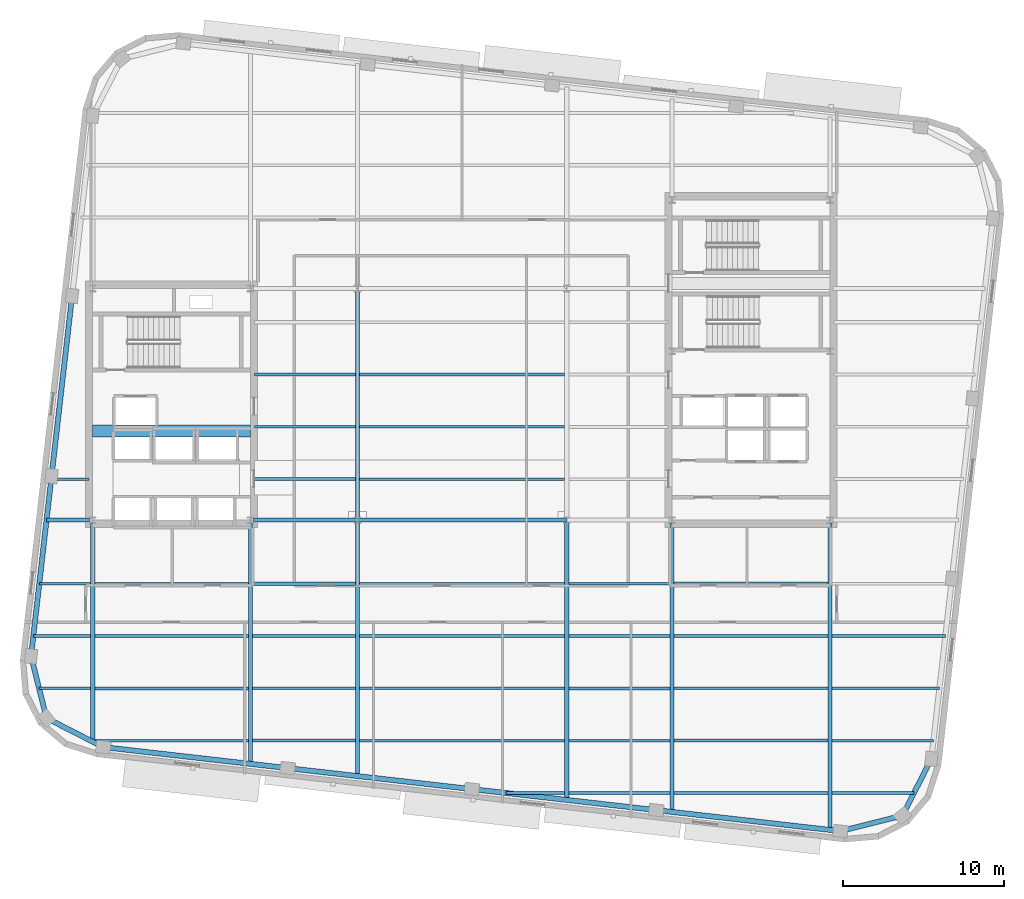
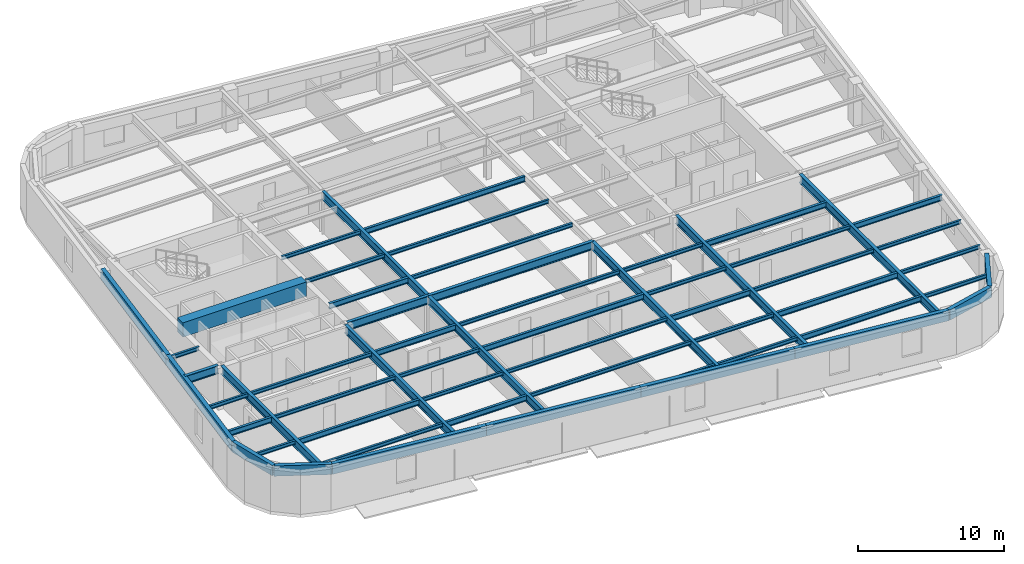
# One storey, part 3 of 12: 58 beams.
"""IFC4 building model written with IfcOpenShell, lengths in metres."""

from ifc_helpers import new_model, si_unit, direction, frame, origin, origin_2d, place, context, subcontext, project, spatial, rectangle, hollow_rectangle, i_section, extrude, material, material_profile, profile_set, type_object, element, save


model = new_model("IFC4")

# Units and contexts
model_context = context("Model", 3, precision=1e-05, world=origin(), true_north=direction((0.0, 1.0)))
body_context = subcontext(model_context, "Body", "Model", "MODEL_VIEW")
ifc_project = project(units=[si_unit("LENGTHUNIT", "METRE"), si_unit("AREAUNIT", "SQUARE_METRE"), si_unit("VOLUMEUNIT", "CUBIC_METRE"), si_unit("PLANEANGLEUNIT", "RADIAN"), si_unit("MASSUNIT", "GRAM", prefix="KILO")], contexts=[model_context])

# Site, building, storey
site_placement = place(None, origin())
site = spatial("IfcSite", under=ifc_project, at=site_placement, CompositionType="ELEMENT")
building_placement = place(site_placement, origin())
building = spatial("IfcBuilding", under=site, at=building_placement, Name="Kolvaren Arena Tower", CompositionType="ELEMENT")
storey_placement = place(building_placement, frame((0.0, 0.0, 220.949951171875)))
storey = spatial("IfcBuildingStorey", under=building, at=storey_placement, Name="L53", CompositionType="ELEMENT", Elevation=220.949951171875)

# Beams
ifc_material_1 = material(Name="Steel CSA G40.21 350W", Category="steel")
ifc_material_profile_1 = material_profile(ifc_material_1, i_section(OverallWidth=0.193115234375, OverallDepth=0.462890625, WebThickness=0.0107421875, FlangeThickness=0.0205078125, FilletRadius=0.012939453125, at=origin_2d()), Name="W460x113")
ifc_profile_set_1 = profile_set([ifc_material_profile_1], Name="Steel CSA G40.21 350W")
beam_type_1 = type_object("IfcBeamType", Name="BEAM-F2", PredefinedType="BEAM", material=ifc_profile_set_1)
beam_1_placement = place(storey_placement, frame((50.677490234375, 2.5, 3.24853515625), z_axis=(1.0, 0.0, 0.0), x_axis=(0.0, 1.0, 0.0)))
element("IfcBeam", 1, at=beam_1_placement, inside=storey, type_object=beam_type_1, Name="Composite Floor Beam (L53)", PredefinedType="BEAM", context=body_context, shape_type="SweptSolid", body=[
    extrude(i_section(OverallWidth=0.193115234375, OverallDepth=0.462890625, WebThickness=0.0107421875, FlangeThickness=0.0205078125, FilletRadius=0.012939453125, at=origin_2d()), origin(), (0.0, 0.0, 1.0), 9.544921875),
])
beam_2_placement = place(storey_placement, frame((24.4775390625, 5.75, 3.24853515625), z_axis=(1.0, 0.0, 0.0), x_axis=(0.0, 1.0, 0.0)))
element("IfcBeam", 2, at=beam_2_placement, inside=storey, type_object=beam_type_1, Name="Composite Floor Beam (L53)", PredefinedType="BEAM", context=body_context, shape_type="SweptSolid", body=[
    extrude(i_section(OverallWidth=0.193115234375, OverallDepth=0.462890625, WebThickness=0.0107421875, FlangeThickness=0.0205078125, FilletRadius=0.012939453125, at=origin_2d()), origin(), (0.0, 0.0, 1.0), 6.39501953125),
])
for number, where, z_axis, x_axis, name in (
    (3, (50.677490234375, 5.75, 3.24853515625), (1.0, 0.0, 0.0), (0.0, 1.0, 0.0), "Composite Floor Beam (L53)"),
    (4, (14.677490234375, 9.0, 3.24853515625), (1.0, 0.0, 0.0), (0.0, 1.0, 0.0), "Composite Floor Beam (L53)"),
):
    element("IfcBeam", number, at=place(storey_placement, frame(where, z_axis=z_axis, x_axis=x_axis)), inside=storey, type_object=beam_type_1, Name=name, PredefinedType="BEAM", context=body_context, shape_type="SweptSolid", body=[
        extrude(i_section(OverallWidth=0.193115234375, OverallDepth=0.462890625, WebThickness=0.0107421875, FlangeThickness=0.0205078125, FilletRadius=0.012939453125, at=origin_2d()), origin(), (0.0, 0.0, 1.0), 9.544921875),
    ])
beam_3_placement = place(storey_placement, frame((44.12744140625, 9.0, 3.24853515625), z_axis=(1.0, 0.0, 0.0), x_axis=(0.0, 1.0, 0.0)))
element("IfcBeam", 5, at=beam_3_placement, inside=storey, type_object=beam_type_1, Name="Composite Floor Beam (L53)", PredefinedType="BEAM", context=body_context, shape_type="SweptSolid", body=[
    extrude(i_section(OverallWidth=0.193115234375, OverallDepth=0.462890625, WebThickness=0.0107421875, FlangeThickness=0.0205078125, FilletRadius=0.012939453125, at=origin_2d()), origin(), (0.0, 0.0, 1.0), 6.295166015625),
])
beam_4_placement = place(storey_placement, frame((10.86083984375, 12.25, 3.24853515625), z_axis=(1.0, 0.0, 0.0), x_axis=(0.0, 1.0, 0.0)))
element("IfcBeam", 6, at=beam_4_placement, inside=storey, type_object=beam_type_1, Name="Composite Floor Beam (L53)", PredefinedType="BEAM", context=body_context, shape_type="SweptSolid", body=[
    extrude(i_section(OverallWidth=0.193115234375, OverallDepth=0.462890625, WebThickness=0.0107421875, FlangeThickness=0.0205078125, FilletRadius=0.012939453125, at=origin_2d()), origin(), (0.0, 0.0, 1.0), 3.561767578125),
])
beam_5_placement = place(storey_placement, frame((31.12744140625, 12.25, 3.24853515625), z_axis=(1.0, 0.0, 0.0), x_axis=(0.0, 1.0, 0.0)))
element("IfcBeam", 7, at=beam_5_placement, inside=storey, type_object=beam_type_1, Name="Composite Floor Beam (L53)", PredefinedType="BEAM", context=body_context, shape_type="SweptSolid", body=[
    extrude(i_section(OverallWidth=0.193115234375, OverallDepth=0.462890625, WebThickness=0.0107421875, FlangeThickness=0.0205078125, FilletRadius=0.012939453125, at=origin_2d()), origin(), (0.0, 0.0, 1.0), 12.7451171875),
])
beam_6_placement = place(storey_placement, frame((60.4775390625, 12.25, 3.24853515625), z_axis=(1.0, 0.0, 0.0), x_axis=(0.0, 1.0, 0.0)))
element("IfcBeam", 8, at=beam_6_placement, inside=storey, type_object=beam_type_1, Name="Composite Floor Beam (L53)", PredefinedType="BEAM", context=body_context, shape_type="SweptSolid", body=[
    extrude(i_section(OverallWidth=0.193115234375, OverallDepth=0.462890625, WebThickness=0.0107421875, FlangeThickness=0.0205078125, FilletRadius=0.012939453125, at=origin_2d()), origin(), (0.0, 0.0, 1.0), 7.04736328125),
])
beam_7_placement = place(storey_placement, frame((24.4775390625, 15.5, 3.24853515625), z_axis=(1.0, 0.0, 0.0), x_axis=(0.0, 1.0, 0.0)))
element("IfcBeam", 9, at=beam_7_placement, inside=storey, type_object=beam_type_1, Name="Composite Floor Beam (L53)", PredefinedType="BEAM", context=body_context, shape_type="SweptSolid", body=[
    extrude(i_section(OverallWidth=0.193115234375, OverallDepth=0.462890625, WebThickness=0.0107421875, FlangeThickness=0.0205078125, FilletRadius=0.012939453125, at=origin_2d()), origin(), (0.0, 0.0, 1.0), 6.39501953125),
])
beam_8_placement = place(storey_placement, frame((50.677490234375, 15.5, 3.24853515625), z_axis=(1.0, 0.0, 0.0), x_axis=(0.0, 1.0, 0.0)))
element("IfcBeam", 10, at=beam_8_placement, inside=storey, type_object=beam_type_1, Name="Composite Floor Beam (L53)", PredefinedType="BEAM", context=body_context, shape_type="SweptSolid", body=[
    extrude(i_section(OverallWidth=0.193115234375, OverallDepth=0.462890625, WebThickness=0.0107421875, FlangeThickness=0.0205078125, FilletRadius=0.012939453125, at=origin_2d()), origin(), (0.0, 0.0, 1.0), 9.544921875),
])
beam_9_placement = place(storey_placement, frame((24.594970703125, 22.0, 3.24853515625), z_axis=(1.0, 0.0, 0.0), x_axis=(0.0, 1.0, 0.0)))
element("IfcBeam", 11, at=beam_9_placement, inside=storey, type_object=beam_type_1, Name="Composite Floor Beam (L53)", PredefinedType="BEAM", context=body_context, shape_type="SweptSolid", body=[
    extrude(i_section(OverallWidth=0.193115234375, OverallDepth=0.462890625, WebThickness=0.0107421875, FlangeThickness=0.0205078125, FilletRadius=0.012939453125, at=origin_2d()), origin(), (0.0, 0.0, 1.0), 6.277587890625),
])
beam_10_placement = place(storey_placement, frame((31.12744140625, 28.5, 3.24853515625), z_axis=(1.0, 0.0, 0.0), x_axis=(0.0, 1.0, 0.0)))
element("IfcBeam", 12, at=beam_10_placement, inside=storey, type_object=beam_type_1, Name="Composite Floor Beam (L53)", PredefinedType="BEAM", context=body_context, shape_type="SweptSolid", body=[
    extrude(i_section(OverallWidth=0.193115234375, OverallDepth=0.462890625, WebThickness=0.0107421875, FlangeThickness=0.0205078125, FilletRadius=0.012939453125, at=origin_2d()), origin(), (0.0, 0.0, 1.0), 12.7451171875),
])
ifc_material_2 = material(Name="Concrete 60 MPa", Category="concrete")
ifc_material_profile_2 = material_profile(ifc_material_2, rectangle(XDim=0.75, YDim=1.199951171875, at=origin_2d()), Name="RC-750x1200")
ifc_profile_set_2 = profile_set([ifc_material_profile_2], Name="Concrete 60 MPa")
beam_type_2 = type_object("IfcBeamType", Name="CB-CORE-2", PredefinedType="BEAM", material=ifc_profile_set_2)
beam_11_placement = place(storey_placement, frame((14.550048828125, 25.0, 3.150146484375), z_axis=(1.0, 0.0, 0.0), x_axis=(0.0, 1.0, 0.0)))
element("IfcBeam", 13, at=beam_11_placement, inside=storey, type_object=beam_type_2, Name="West Core Coupling Beam (L53)", PredefinedType="BEAM", context=body_context, shape_type="SweptSolid", body=[
    extrude(rectangle(XDim=0.75, YDim=1.199951171875, at=origin_2d()), origin(), (0.0, 0.0, 1.0), 9.800048828125),
])
ifc_material_profile_3 = material_profile(ifc_material_1, i_section(OverallWidth=0.2548828125, OverallDepth=0.695068359375, WebThickness=0.01708984375, FlangeThickness=0.02978515625, FilletRadius=0.01611328125, at=origin_2d()), Name="W690x217")
ifc_profile_set_3 = profile_set([ifc_material_profile_3], Name="Steel CSA G40.21 350W")
beam_type_3 = type_object("IfcBeamType", Name="GIRD-T2", PredefinedType="BEAM", material=ifc_profile_set_3)
beam_12_placement = place(storey_placement, frame((11.68115234375, 19.449951171875, 3.132568359375), z_axis=(1.0, 0.0, 0.0), x_axis=(0.0, 1.0, 0.0)))
element("IfcBeam", 14, at=beam_12_placement, inside=storey, type_object=beam_type_3, Name="Primary Floor Girder (L53)", PredefinedType="BEAM", context=body_context, shape_type="SweptSolid", body=[
    extrude(i_section(OverallWidth=0.2548828125, OverallDepth=0.695068359375, WebThickness=0.01708984375, FlangeThickness=0.02978515625, FilletRadius=0.01611328125, at=origin_2d()), origin(), (0.0, 0.0, 1.0), 2.663818359375),
])
beam_13_placement = place(storey_placement, frame((24.554931640625, 19.449951171875, 3.132568359375), z_axis=(1.0, 0.0, 0.0), x_axis=(0.0, 1.0, 0.0)))
element("IfcBeam", 15, at=beam_13_placement, inside=storey, type_object=beam_type_3, Name="Primary Floor Girder (L53)", PredefinedType="BEAM", context=body_context, shape_type="SweptSolid", body=[
    extrude(i_section(OverallWidth=0.2548828125, OverallDepth=0.695068359375, WebThickness=0.01708984375, FlangeThickness=0.02978515625, FilletRadius=0.01611328125, at=origin_2d()), origin(), (0.0, 0.0, 1.0), 6.445068359375),
])
beam_14_placement = place(storey_placement, frame((31.0, 19.449951171875, 3.132568359375), z_axis=(1.0, 0.0, 0.0), x_axis=(0.0, 1.0, 0.0)))
element("IfcBeam", 16, at=beam_14_placement, inside=storey, type_object=beam_type_3, Name="Primary Floor Girder (L53)", PredefinedType="BEAM", context=body_context, shape_type="SweptSolid", body=[
    extrude(i_section(OverallWidth=0.2548828125, OverallDepth=0.695068359375, WebThickness=0.01708984375, FlangeThickness=0.02978515625, FilletRadius=0.01611328125, at=origin_2d()), origin(), (0.0, 0.0, 1.0), 13.0),
])
beam_15_placement = place(storey_placement, frame((14.550048828125, 5.686767578125, 3.132568359375), z_axis=(0.0, 1.0, 0.0), x_axis=(-1.0, 0.0, 0.0)))
element("IfcBeam", 17, at=beam_15_placement, inside=storey, type_object=beam_type_3, Name="Primary Floor Girder (L53)", PredefinedType="BEAM", context=body_context, shape_type="SweptSolid", body=[
    extrude(i_section(OverallWidth=0.2548828125, OverallDepth=0.695068359375, WebThickness=0.01708984375, FlangeThickness=0.02978515625, FilletRadius=0.01611328125, at=origin_2d()), origin(), (0.0, 0.0, 1.0), 13.558349609375),
])
beam_16_placement = place(storey_placement, frame((24.35009765625, 4.30908203125, 3.132568359375), z_axis=(0.0, 1.0, 0.0), x_axis=(-1.0, 0.0, 0.0)))
element("IfcBeam", 18, at=beam_16_placement, inside=storey, type_object=beam_type_3, Name="Primary Floor Girder (L53)", PredefinedType="BEAM", context=body_context, shape_type="SweptSolid", body=[
    extrude(i_section(OverallWidth=0.2548828125, OverallDepth=0.695068359375, WebThickness=0.01708984375, FlangeThickness=0.02978515625, FilletRadius=0.01611328125, at=origin_2d()), origin(), (0.0, 0.0, 1.0), 14.93603515625),
])
beam_17_placement = place(storey_placement, frame((31.0, 3.551513671875, 3.132568359375), z_axis=(0.0, 1.0, 0.0), x_axis=(-1.0, 0.0, 0.0)))
element("IfcBeam", 19, at=beam_17_placement, inside=storey, type_object=beam_type_3, Name="Primary Floor Girder (L53)", PredefinedType="BEAM", context=body_context, shape_type="SweptSolid", body=[
    extrude(i_section(OverallWidth=0.2548828125, OverallDepth=0.695068359375, WebThickness=0.01708984375, FlangeThickness=0.02978515625, FilletRadius=0.01611328125, at=origin_2d()), origin(), (0.0, 0.0, 1.0), 15.8984375),
])
beam_18_placement = place(storey_placement, frame((31.0, 19.449951171875, 3.132568359375), z_axis=(0.0, 1.0, 0.0), x_axis=(-1.0, 0.0, 0.0)))
element("IfcBeam", 20, at=beam_18_placement, inside=storey, type_object=beam_type_3, Name="Primary Floor Girder (L53)", PredefinedType="BEAM", context=body_context, shape_type="SweptSolid", body=[
    extrude(i_section(OverallWidth=0.2548828125, OverallDepth=0.695068359375, WebThickness=0.01708984375, FlangeThickness=0.02978515625, FilletRadius=0.01611328125, at=origin_2d()), origin(), (0.0, 0.0, 1.0), 14.400146484375),
])
beam_19_placement = place(storey_placement, frame((44.0, 2.0703125, 3.132568359375), z_axis=(0.0, 1.0, 0.0), x_axis=(-1.0, 0.0, 0.0)))
element("IfcBeam", 21, at=beam_19_placement, inside=storey, type_object=beam_type_3, Name="Primary Floor Girder (L53)", PredefinedType="BEAM", context=body_context, shape_type="SweptSolid", body=[
    extrude(i_section(OverallWidth=0.2548828125, OverallDepth=0.695068359375, WebThickness=0.01708984375, FlangeThickness=0.02978515625, FilletRadius=0.01611328125, at=origin_2d()), origin(), (0.0, 0.0, 1.0), 17.379638671875),
])
beam_20_placement = place(storey_placement, frame((50.550048828125, 1.323974609375, 3.132568359375), z_axis=(0.0, 1.0, 0.0), x_axis=(-1.0, 0.0, 0.0)))
element("IfcBeam", 22, at=beam_20_placement, inside=storey, type_object=beam_type_3, Name="Primary Floor Girder (L53)", PredefinedType="BEAM", context=body_context, shape_type="SweptSolid", body=[
    extrude(i_section(OverallWidth=0.2548828125, OverallDepth=0.695068359375, WebThickness=0.01708984375, FlangeThickness=0.02978515625, FilletRadius=0.01611328125, at=origin_2d()), origin(), (0.0, 0.0, 1.0), 17.921142578125),
])
beam_21_placement = place(storey_placement, frame((60.35009765625, 0.20751953125, 3.132568359375), z_axis=(0.0, 1.0, 0.0), x_axis=(-1.0, 0.0, 0.0)))
element("IfcBeam", 23, at=beam_21_placement, inside=storey, type_object=beam_type_3, Name="Primary Floor Girder (L53)", PredefinedType="BEAM", context=body_context, shape_type="SweptSolid", body=[
    extrude(i_section(OverallWidth=0.2548828125, OverallDepth=0.695068359375, WebThickness=0.01708984375, FlangeThickness=0.02978515625, FilletRadius=0.01611328125, at=origin_2d()), origin(), (0.0, 0.0, 1.0), 19.03759765625),
])
ifc_material_profile_4 = material_profile(ifc_material_1, i_section(OverallWidth=0.1669921875, OverallDepth=0.31689453125, WebThickness=0.007568359375, FlangeThickness=0.01318359375, FilletRadius=0.010009765625, at=origin_2d()), Name="W310x52")
ifc_profile_set_4 = profile_set([ifc_material_profile_4], Name="Steel CSA G40.21 350W")
beam_type_4 = type_object("IfcBeamType", Name="JOIST-02", PredefinedType="JOIST", material=ifc_profile_set_4)
beam_22_placement = place(storey_placement, frame((40.228271484375, 2.5, 3.321533203125), z_axis=(1.0, 0.0, 0.0), x_axis=(0.0, 1.0, 0.0)))
element("IfcBeam", 24, at=beam_22_placement, inside=storey, type_object=beam_type_4, Name="Composite Floor Joist (L53)", PredefinedType="JOIST", context=body_context, shape_type="SweptSolid", body=[
    extrude(i_section(OverallWidth=0.1669921875, OverallDepth=0.31689453125, WebThickness=0.007568359375, FlangeThickness=0.01318359375, FilletRadius=0.010009765625, at=origin_2d()), origin(), (0.0, 0.0, 1.0), 3.644287109375),
])
beam_23_placement = place(storey_placement, frame((44.12744140625, 2.5, 3.321533203125), z_axis=(1.0, 0.0, 0.0), x_axis=(0.0, 1.0, 0.0)))
element("IfcBeam", 25, at=beam_23_placement, inside=storey, type_object=beam_type_4, Name="Composite Floor Joist (L53)", PredefinedType="JOIST", context=body_context, shape_type="SweptSolid", body=[
    extrude(i_section(OverallWidth=0.1669921875, OverallDepth=0.31689453125, WebThickness=0.007568359375, FlangeThickness=0.01318359375, FilletRadius=0.010009765625, at=origin_2d()), origin(), (0.0, 0.0, 1.0), 6.295166015625),
])
beam_24_placement = place(storey_placement, frame((60.4775390625, 2.5, 3.321533203125), z_axis=(1.0, 0.0, 0.0), x_axis=(0.0, 1.0, 0.0)))
element("IfcBeam", 26, at=beam_24_placement, inside=storey, type_object=beam_type_4, Name="Composite Floor Joist (L53)", PredefinedType="JOIST", context=body_context, shape_type="SweptSolid", body=[
    extrude(i_section(OverallWidth=0.1669921875, OverallDepth=0.31689453125, WebThickness=0.007568359375, FlangeThickness=0.01318359375, FilletRadius=0.010009765625, at=origin_2d()), origin(), (0.0, 0.0, 1.0), 5.09423828125),
])
beam_25_placement = place(storey_placement, frame((14.42626953125, 5.75, 3.321533203125), z_axis=(1.0, 0.0, 0.0), x_axis=(0.0, 1.0, 0.0)))
element("IfcBeam", 27, at=beam_25_placement, inside=storey, type_object=beam_type_4, Name="Composite Floor Joist (L53)", PredefinedType="JOIST", context=body_context, shape_type="SweptSolid", body=[
    extrude(i_section(OverallWidth=0.1669921875, OverallDepth=0.31689453125, WebThickness=0.007568359375, FlangeThickness=0.01318359375, FilletRadius=0.010009765625, at=origin_2d()), origin(), (0.0, 0.0, 1.0), 9.796142578125),
])
beam_26_placement = place(storey_placement, frame((31.12744140625, 5.75, 3.321533203125), z_axis=(1.0, 0.0, 0.0), x_axis=(0.0, 1.0, 0.0)))
element("IfcBeam", 28, at=beam_26_placement, inside=storey, type_object=beam_type_4, Name="Composite Floor Joist (L53)", PredefinedType="JOIST", context=body_context, shape_type="SweptSolid", body=[
    extrude(i_section(OverallWidth=0.1669921875, OverallDepth=0.31689453125, WebThickness=0.007568359375, FlangeThickness=0.01318359375, FilletRadius=0.010009765625, at=origin_2d()), origin(), (0.0, 0.0, 1.0), 12.7451171875),
])
beam_27_placement = place(storey_placement, frame((44.12744140625, 5.75, 3.321533203125), z_axis=(1.0, 0.0, 0.0), x_axis=(0.0, 1.0, 0.0)))
element("IfcBeam", 29, at=beam_27_placement, inside=storey, type_object=beam_type_4, Name="Composite Floor Joist (L53)", PredefinedType="JOIST", context=body_context, shape_type="SweptSolid", body=[
    extrude(i_section(OverallWidth=0.1669921875, OverallDepth=0.31689453125, WebThickness=0.007568359375, FlangeThickness=0.01318359375, FilletRadius=0.010009765625, at=origin_2d()), origin(), (0.0, 0.0, 1.0), 6.295166015625),
])
beam_28_placement = place(storey_placement, frame((60.4775390625, 5.75, 3.321533203125), z_axis=(1.0, 0.0, 0.0), x_axis=(0.0, 1.0, 0.0)))
element("IfcBeam", 30, at=beam_28_placement, inside=storey, type_object=beam_type_4, Name="Composite Floor Joist (L53)", PredefinedType="JOIST", context=body_context, shape_type="SweptSolid", body=[
    extrude(i_section(OverallWidth=0.1669921875, OverallDepth=0.31689453125, WebThickness=0.007568359375, FlangeThickness=0.01318359375, FilletRadius=0.010009765625, at=origin_2d()), origin(), (0.0, 0.0, 1.0), 6.306884765625),
])
beam_29_placement = place(storey_placement, frame((11.217529296875, 9.0, 3.321533203125), z_axis=(1.0, 0.0, 0.0), x_axis=(0.0, 1.0, 0.0)))
element("IfcBeam", 31, at=beam_29_placement, inside=storey, type_object=beam_type_4, Name="Composite Floor Joist (L53)", PredefinedType="JOIST", context=body_context, shape_type="SweptSolid", body=[
    extrude(i_section(OverallWidth=0.1669921875, OverallDepth=0.31689453125, WebThickness=0.007568359375, FlangeThickness=0.01318359375, FilletRadius=0.010009765625, at=origin_2d()), origin(), (0.0, 0.0, 1.0), 3.205078125),
])
beam_30_placement = place(storey_placement, frame((24.4775390625, 9.0, 3.321533203125), z_axis=(1.0, 0.0, 0.0), x_axis=(0.0, 1.0, 0.0)))
element("IfcBeam", 32, at=beam_30_placement, inside=storey, type_object=beam_type_4, Name="Composite Floor Joist (L53)", PredefinedType="JOIST", context=body_context, shape_type="SweptSolid", body=[
    extrude(i_section(OverallWidth=0.1669921875, OverallDepth=0.31689453125, WebThickness=0.007568359375, FlangeThickness=0.01318359375, FilletRadius=0.010009765625, at=origin_2d()), origin(), (0.0, 0.0, 1.0), 6.39501953125),
])
beam_31_placement = place(storey_placement, frame((31.12744140625, 9.0, 3.321533203125), z_axis=(1.0, 0.0, 0.0), x_axis=(0.0, 1.0, 0.0)))
element("IfcBeam", 33, at=beam_31_placement, inside=storey, type_object=beam_type_4, Name="Composite Floor Joist (L53)", PredefinedType="JOIST", context=body_context, shape_type="SweptSolid", body=[
    extrude(i_section(OverallWidth=0.1669921875, OverallDepth=0.31689453125, WebThickness=0.007568359375, FlangeThickness=0.01318359375, FilletRadius=0.010009765625, at=origin_2d()), origin(), (0.0, 0.0, 1.0), 12.7451171875),
])
beam_32_placement = place(storey_placement, frame((50.677490234375, 9.0, 3.321533203125), z_axis=(1.0, 0.0, 0.0), x_axis=(0.0, 1.0, 0.0)))
element("IfcBeam", 34, at=beam_32_placement, inside=storey, type_object=beam_type_4, Name="Composite Floor Joist (L53)", PredefinedType="JOIST", context=body_context, shape_type="SweptSolid", body=[
    extrude(i_section(OverallWidth=0.1669921875, OverallDepth=0.31689453125, WebThickness=0.007568359375, FlangeThickness=0.01318359375, FilletRadius=0.010009765625, at=origin_2d()), origin(), (0.0, 0.0, 1.0), 9.544921875),
])
beam_33_placement = place(storey_placement, frame((60.4775390625, 9.0, 3.321533203125), z_axis=(1.0, 0.0, 0.0), x_axis=(0.0, 1.0, 0.0)))
element("IfcBeam", 35, at=beam_33_placement, inside=storey, type_object=beam_type_4, Name="Composite Floor Joist (L53)", PredefinedType="JOIST", context=body_context, shape_type="SweptSolid", body=[
    extrude(i_section(OverallWidth=0.1669921875, OverallDepth=0.31689453125, WebThickness=0.007568359375, FlangeThickness=0.01318359375, FilletRadius=0.010009765625, at=origin_2d()), origin(), (0.0, 0.0, 1.0), 6.67724609375),
])
beam_34_placement = place(storey_placement, frame((14.677490234375, 12.25, 3.321533203125), z_axis=(1.0, 0.0, 0.0), x_axis=(0.0, 1.0, 0.0)))
element("IfcBeam", 36, at=beam_34_placement, inside=storey, type_object=beam_type_4, Name="Composite Floor Joist (L53)", PredefinedType="JOIST", context=body_context, shape_type="SweptSolid", body=[
    extrude(i_section(OverallWidth=0.1669921875, OverallDepth=0.31689453125, WebThickness=0.007568359375, FlangeThickness=0.01318359375, FilletRadius=0.010009765625, at=origin_2d()), origin(), (0.0, 0.0, 1.0), 9.544921875),
])
beam_35_placement = place(storey_placement, frame((24.4775390625, 12.25, 3.321533203125), z_axis=(1.0, 0.0, 0.0), x_axis=(0.0, 1.0, 0.0)))
element("IfcBeam", 37, at=beam_35_placement, inside=storey, type_object=beam_type_4, Name="Composite Floor Joist (L53)", PredefinedType="JOIST", context=body_context, shape_type="SweptSolid", body=[
    extrude(i_section(OverallWidth=0.1669921875, OverallDepth=0.31689453125, WebThickness=0.007568359375, FlangeThickness=0.01318359375, FilletRadius=0.010009765625, at=origin_2d()), origin(), (0.0, 0.0, 1.0), 6.39501953125),
])
beam_36_placement = place(storey_placement, frame((44.12744140625, 12.25, 3.321533203125), z_axis=(1.0, 0.0, 0.0), x_axis=(0.0, 1.0, 0.0)))
element("IfcBeam", 38, at=beam_36_placement, inside=storey, type_object=beam_type_4, Name="Composite Floor Joist (L53)", PredefinedType="JOIST", context=body_context, shape_type="SweptSolid", body=[
    extrude(i_section(OverallWidth=0.1669921875, OverallDepth=0.31689453125, WebThickness=0.007568359375, FlangeThickness=0.01318359375, FilletRadius=0.010009765625, at=origin_2d()), origin(), (0.0, 0.0, 1.0), 6.295166015625),
])
beam_37_placement = place(storey_placement, frame((50.677490234375, 12.25, 3.321533203125), z_axis=(1.0, 0.0, 0.0), x_axis=(0.0, 1.0, 0.0)))
element("IfcBeam", 39, at=beam_37_placement, inside=storey, type_object=beam_type_4, Name="Composite Floor Joist (L53)", PredefinedType="JOIST", context=body_context, shape_type="SweptSolid", body=[
    extrude(i_section(OverallWidth=0.1669921875, OverallDepth=0.31689453125, WebThickness=0.007568359375, FlangeThickness=0.01318359375, FilletRadius=0.010009765625, at=origin_2d()), origin(), (0.0, 0.0, 1.0), 9.544921875),
])
beam_38_placement = place(storey_placement, frame((11.23095703125, 15.5, 3.321533203125), z_axis=(1.0, 0.0, 0.0), x_axis=(0.0, 1.0, 0.0)))
element("IfcBeam", 40, at=beam_38_placement, inside=storey, type_object=beam_type_4, Name="Composite Floor Joist (L53)", PredefinedType="JOIST", context=body_context, shape_type="SweptSolid", body=[
    extrude(i_section(OverallWidth=0.1669921875, OverallDepth=0.31689453125, WebThickness=0.007568359375, FlangeThickness=0.01318359375, FilletRadius=0.010009765625, at=origin_2d()), origin(), (0.0, 0.0, 1.0), 3.191650390625),
])
beam_39_placement = place(storey_placement, frame((14.677490234375, 15.5, 3.321533203125), z_axis=(1.0, 0.0, 0.0), x_axis=(0.0, 1.0, 0.0)))
element("IfcBeam", 41, at=beam_39_placement, inside=storey, type_object=beam_type_4, Name="Composite Floor Joist (L53)", PredefinedType="JOIST", context=body_context, shape_type="SweptSolid", body=[
    extrude(i_section(OverallWidth=0.1669921875, OverallDepth=0.31689453125, WebThickness=0.007568359375, FlangeThickness=0.01318359375, FilletRadius=0.010009765625, at=origin_2d()), origin(), (0.0, 0.0, 1.0), 9.544921875),
])
beam_40_placement = place(storey_placement, frame((31.12744140625, 15.5, 3.321533203125), z_axis=(1.0, 0.0, 0.0), x_axis=(0.0, 1.0, 0.0)))
element("IfcBeam", 42, at=beam_40_placement, inside=storey, type_object=beam_type_4, Name="Composite Floor Joist (L53)", PredefinedType="JOIST", context=body_context, shape_type="SweptSolid", body=[
    extrude(i_section(OverallWidth=0.1669921875, OverallDepth=0.31689453125, WebThickness=0.007568359375, FlangeThickness=0.01318359375, FilletRadius=0.010009765625, at=origin_2d()), origin(), (0.0, 0.0, 1.0), 12.7451171875),
])
beam_41_placement = place(storey_placement, frame((44.12744140625, 15.5, 3.321533203125), z_axis=(1.0, 0.0, 0.0), x_axis=(0.0, 1.0, 0.0)))
element("IfcBeam", 43, at=beam_41_placement, inside=storey, type_object=beam_type_4, Name="Composite Floor Joist (L53)", PredefinedType="JOIST", context=body_context, shape_type="SweptSolid", body=[
    extrude(i_section(OverallWidth=0.1669921875, OverallDepth=0.31689453125, WebThickness=0.007568359375, FlangeThickness=0.01318359375, FilletRadius=0.010009765625, at=origin_2d()), origin(), (0.0, 0.0, 1.0), 6.295166015625),
])
beam_42_placement = place(storey_placement, frame((11.9716796875, 22.0, 3.321533203125), z_axis=(1.0, 0.0, 0.0), x_axis=(0.0, 1.0, 0.0)))
element("IfcBeam", 44, at=beam_42_placement, inside=storey, type_object=beam_type_4, Name="Composite Floor Joist (L53)", PredefinedType="JOIST", context=body_context, shape_type="SweptSolid", body=[
    extrude(i_section(OverallWidth=0.1669921875, OverallDepth=0.31689453125, WebThickness=0.007568359375, FlangeThickness=0.01318359375, FilletRadius=0.010009765625, at=origin_2d()), origin(), (0.0, 0.0, 1.0), 2.333251953125),
])
beam_43_placement = place(storey_placement, frame((31.12744140625, 22.0, 3.321533203125), z_axis=(1.0, 0.0, 0.0), x_axis=(0.0, 1.0, 0.0)))
element("IfcBeam", 45, at=beam_43_placement, inside=storey, type_object=beam_type_4, Name="Composite Floor Joist (L53)", PredefinedType="JOIST", context=body_context, shape_type="SweptSolid", body=[
    extrude(i_section(OverallWidth=0.1669921875, OverallDepth=0.31689453125, WebThickness=0.007568359375, FlangeThickness=0.01318359375, FilletRadius=0.010009765625, at=origin_2d()), origin(), (0.0, 0.0, 1.0), 12.7451171875),
])
beam_44_placement = place(storey_placement, frame((24.594970703125, 25.25, 3.321533203125), z_axis=(1.0, 0.0, 0.0), x_axis=(0.0, 1.0, 0.0)))
element("IfcBeam", 46, at=beam_44_placement, inside=storey, type_object=beam_type_4, Name="Composite Floor Joist (L53)", PredefinedType="JOIST", context=body_context, shape_type="SweptSolid", body=[
    extrude(i_section(OverallWidth=0.1669921875, OverallDepth=0.31689453125, WebThickness=0.007568359375, FlangeThickness=0.01318359375, FilletRadius=0.010009765625, at=origin_2d()), origin(), (0.0, 0.0, 1.0), 6.277587890625),
])
beam_45_placement = place(storey_placement, frame((31.12744140625, 25.25, 3.321533203125), z_axis=(1.0, 0.0, 0.0), x_axis=(0.0, 1.0, 0.0)))
element("IfcBeam", 47, at=beam_45_placement, inside=storey, type_object=beam_type_4, Name="Composite Floor Joist (L53)", PredefinedType="JOIST", context=body_context, shape_type="SweptSolid", body=[
    extrude(i_section(OverallWidth=0.1669921875, OverallDepth=0.31689453125, WebThickness=0.007568359375, FlangeThickness=0.01318359375, FilletRadius=0.010009765625, at=origin_2d()), origin(), (0.0, 0.0, 1.0), 12.7451171875),
])
beam_46_placement = place(storey_placement, frame((24.594970703125, 28.5, 3.321533203125), z_axis=(1.0, 0.0, 0.0), x_axis=(0.0, 1.0, 0.0)))
element("IfcBeam", 48, at=beam_46_placement, inside=storey, type_object=beam_type_4, Name="Composite Floor Joist (L53)", PredefinedType="JOIST", context=body_context, shape_type="SweptSolid", body=[
    extrude(i_section(OverallWidth=0.1669921875, OverallDepth=0.31689453125, WebThickness=0.007568359375, FlangeThickness=0.01318359375, FilletRadius=0.010009765625, at=origin_2d()), origin(), (0.0, 0.0, 1.0), 6.277587890625),
])
ifc_material_3 = material(Name="Steel CSA G40.21 350WT", Category="steel")
ifc_material_profile_5 = material_profile(ifc_material_3, hollow_rectangle(XDim=0.320068359375, YDim=0.860107421875, WallThickness=0.01806640625, at=origin_2d()), Name="HSS 860x320x18")
ifc_profile_set_5 = profile_set([ifc_material_profile_5], Name="Steel CSA G40.21 350WT")
beam_type_5 = type_object("IfcBeamType", Name="SPAND-02", PredefinedType="SPANDREL", material=ifc_profile_set_5)
for number, where, z_axis, x_axis, name in (
    (49, (15.207763671875, 5.350830078125, 3.050048828125), (0.99357166944, -0.113204848336, 0.0), (0.113204848336, 0.99357166944, 0.0), "Perimeter Spandrel Beam (L53)"),
    (50, (26.65869140625, 4.046142578125, 3.050048828125), (0.99357166944, -0.113204848336, 0.0), (0.113204848336, 0.99357166944, 0.0), "Perimeter Spandrel Beam (L53)"),
):
    element("IfcBeam", number, at=place(storey_placement, frame(where, z_axis=z_axis, x_axis=x_axis)), inside=storey, type_object=beam_type_5, Name=name, PredefinedType="SPANDREL", context=body_context, shape_type="SweptSolid", body=[
        extrude(hollow_rectangle(XDim=0.320068359375, YDim=0.860107421875, WallThickness=0.01806640625, at=origin_2d()), origin(), (0.0, 0.0, 1.0), 11.52490234375),
    ])
beam_47_placement = place(storey_placement, frame((38.109619140625, 2.741455078125, 3.050048828125), z_axis=(0.993571397957, -0.113207231049, 0.0), x_axis=(0.113207231049, 0.993571397957, 0.0)))
element("IfcBeam", 51, at=beam_47_placement, inside=storey, type_object=beam_type_5, Name="Perimeter Spandrel Beam (L53)", PredefinedType="SPANDREL", context=body_context, shape_type="SweptSolid", body=[
    extrude(hollow_rectangle(XDim=0.320068359375, YDim=0.860107421875, WallThickness=0.01806640625, at=origin_2d()), origin(), (0.0, 0.0, 1.0), 11.524658203125),
])
beam_48_placement = place(storey_placement, frame((49.560302734375, 1.436767578125, 3.050048828125), z_axis=(0.993571940905, -0.113202465721, 0.0), x_axis=(0.113202465721, 0.993571940905, 0.0)))
element("IfcBeam", 52, at=beam_48_placement, inside=storey, type_object=beam_type_5, Name="Perimeter Spandrel Beam (L53)", PredefinedType="SPANDREL", context=body_context, shape_type="SweptSolid", body=[
    extrude(hollow_rectangle(XDim=0.320068359375, YDim=0.860107421875, WallThickness=0.01806640625, at=origin_2d()), origin(), (0.0, 0.0, 1.0), 11.525146484375),
])
beam_49_placement = place(storey_placement, frame((61.011474609375, 0.132080078125, 3.050048828125), z_axis=(0.970033632471, 0.242970681103, 0.0), x_axis=(-0.242970681103, 0.970033632471, 0.0)))
element("IfcBeam", 53, at=beam_49_placement, inside=storey, type_object=beam_type_5, Name="Perimeter Spandrel Beam (L53)", PredefinedType="SPANDREL", context=body_context, shape_type="SweptSolid", body=[
    extrude(hollow_rectangle(XDim=0.320068359375, YDim=0.860107421875, WallThickness=0.01806640625, at=origin_2d()), origin(), (0.0, 0.0, 1.0), 3.9609375),
])
beam_50_placement = place(storey_placement, frame((64.853759765625, 1.094482421875, 3.050048828125), z_axis=(0.454962284061, 0.89051070745, 0.0), x_axis=(-0.89051070745, 0.454962284061, 0.0)))
element("IfcBeam", 54, at=beam_50_placement, inside=storey, type_object=beam_type_5, Name="Perimeter Spandrel Beam (L53)", PredefinedType="SPANDREL", context=body_context, shape_type="SweptSolid", body=[
    extrude(hollow_rectangle(XDim=0.320068359375, YDim=0.860107421875, WallThickness=0.01806640625, at=origin_2d()), origin(), (0.0, 0.0, 1.0), 3.96142578125),
])
beam_51_placement = place(storey_placement, frame((13.268798828125, 33.3837890625, 3.050048828125), z_axis=(-0.113220850685, -0.993569846045, 0.0), x_axis=(0.993569846045, -0.113220850685, 0.0)))
element("IfcBeam", 55, at=beam_51_placement, inside=storey, type_object=beam_type_5, Name="Perimeter Spandrel Beam (L53)", PredefinedType="SPANDREL", context=body_context, shape_type="SweptSolid", body=[
    extrude(hollow_rectangle(XDim=0.320068359375, YDim=0.860107421875, WallThickness=0.01806640625, at=origin_2d()), origin(), (0.0, 0.0, 1.0), 11.266845703125),
])
beam_52_placement = place(storey_placement, frame((11.9931640625, 22.189453125, 3.050048828125), z_axis=(-0.113201896536, -0.993572005755, 0.0), x_axis=(0.993572005755, -0.113201896536, 0.0)))
element("IfcBeam", 56, at=beam_52_placement, inside=storey, type_object=beam_type_5, Name="Perimeter Spandrel Beam (L53)", PredefinedType="SPANDREL", context=body_context, shape_type="SweptSolid", body=[
    extrude(hollow_rectangle(XDim=0.320068359375, YDim=0.860107421875, WallThickness=0.01806640625, at=origin_2d()), origin(), (0.0, 0.0, 1.0), 11.2666015625),
])
beam_53_placement = place(storey_placement, frame((10.7177734375, 10.995361328125, 3.050048828125), z_axis=(0.243014148252, -0.970022743934, 0.0), x_axis=(0.970022743934, 0.243014148252, 0.0)))
element("IfcBeam", 57, at=beam_53_placement, inside=storey, type_object=beam_type_5, Name="Perimeter Spandrel Beam (L53)", PredefinedType="SPANDREL", context=body_context, shape_type="SweptSolid", body=[
    extrude(hollow_rectangle(XDim=0.320068359375, YDim=0.860107421875, WallThickness=0.01806640625, at=origin_2d()), origin(), (0.0, 0.0, 1.0), 3.961181640625),
])
beam_54_placement = place(storey_placement, frame((11.680419921875, 7.15283203125, 3.050048828125), z_axis=(0.890522920884, -0.454938377564, 0.0), x_axis=(0.454938377564, 0.890522920884, 0.0)))
element("IfcBeam", 58, at=beam_54_placement, inside=storey, type_object=beam_type_5, Name="Perimeter Spandrel Beam (L53)", PredefinedType="SPANDREL", context=body_context, shape_type="SweptSolid", body=[
    extrude(hollow_rectangle(XDim=0.320068359375, YDim=0.860107421875, WallThickness=0.01806640625, at=origin_2d()), origin(), (0.0, 0.0, 1.0), 3.9609375),
])

save(model, "model.ifc")
